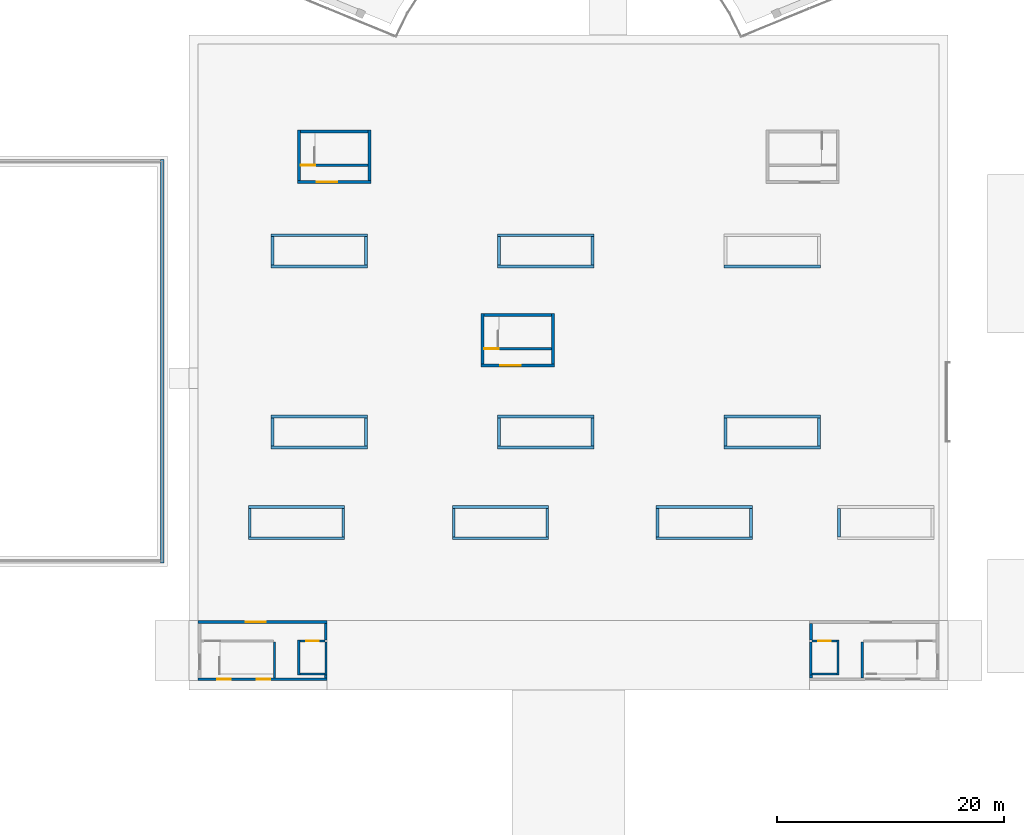
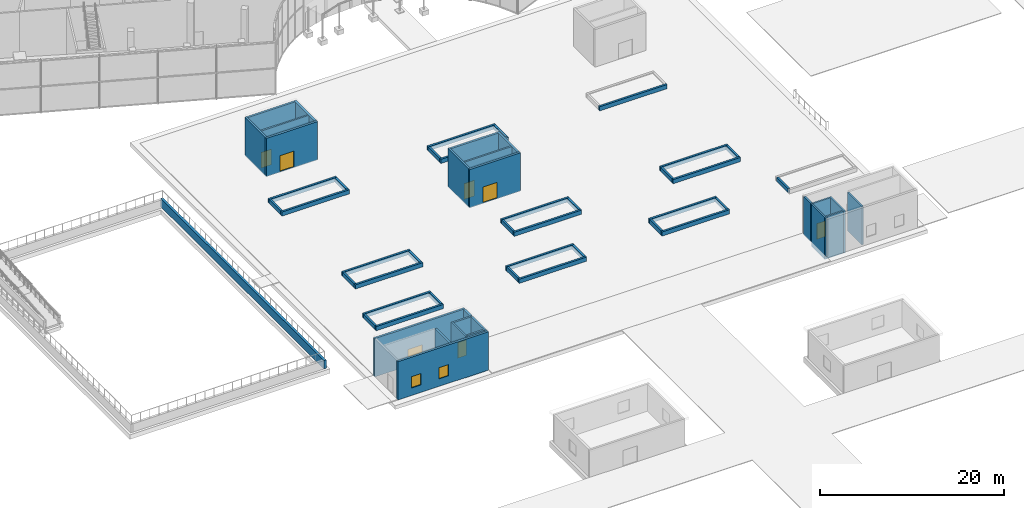
# One storey, part 25 of 60: 61 walls, 7 doors, 2 windows, 9 openings.
"""IFC4 building model written with IfcOpenShell, lengths in metres."""

from ifc_helpers import new_model, si_unit, direction, frame, frame_2d, origin, place, context, subcontext, project, spatial, rectangle, extrude, material, layer, layer_set, type_object, element, fill, save


model = new_model("IFC4")

# Units and contexts
model_context = context("Model", 3, precision=1e-05, world=origin(), true_north=direction((0.0, 1.0)))
body_context = subcontext(model_context, "Body", "Model", "MODEL_VIEW")
ifc_project = project(units=[si_unit("LENGTHUNIT", "METRE"), si_unit("AREAUNIT", "SQUARE_METRE"), si_unit("VOLUMEUNIT", "CUBIC_METRE"), si_unit("PLANEANGLEUNIT", "RADIAN"), si_unit("MASSUNIT", "GRAM", prefix="KILO")], contexts=[model_context])

# Site, building, storey
site_placement = place(None, origin())
site = spatial("IfcSite", under=ifc_project, at=site_placement, CompositionType="ELEMENT")
building_placement = place(site_placement, origin())
building = spatial("IfcBuilding", under=site, at=building_placement, Name="Stone Belt Terrace Tower", CompositionType="ELEMENT")
storey_placement = place(building_placement, origin())
storey = spatial("IfcBuildingStorey", under=building, at=storey_placement, Name="L00", CompositionType="ELEMENT", Elevation=0.0)

# Wall, opening, door
ifc_material_1 = material(Name="Concrete B30", Category="concrete")
ifc_layer_1 = layer(ifc_material_1, 0.199951171875)
ifc_layer_set_1 = layer_set([ifc_layer_1], Name="Car park core wall 200 variant B")
wall_type_1 = type_object("IfcWallType", Name="Car park core wall 200 variant B", PredefinedType="SOLIDWALL", material=ifc_layer_set_1)
wall_1_placement = place(storey_placement, frame((-23.64990234375, -5.199951171875, -0.10009765625), z_axis=(0.0, 0.0, 1.0), x_axis=(1.0, 0.0, 0.0)))
wall_1 = element("IfcWall", 1, at=wall_1_placement, inside=storey, type_object=wall_type_1, Name="Car park stair 3 wall", PredefinedType="SOLIDWALL", context=body_context, shape_type="SweptSolid", body=[
    extrude(rectangle(XDim=5.9599609375, YDim=0.199951171875, at=frame_2d((2.97998046875, 0.0))), origin(), (0.0, 0.0, 1.0), 5.10009765625),
])
opening_1_placement = place(wall_1_placement, frame((0.010009765625, 0.0, 0.10009765625)))
opening_1 = element("IfcOpeningElement", 2, at=opening_1_placement, cuts=wall_1, Name="Opening L00-S02", PredefinedType="OPENING", context=body_context, shape_type="SweptSolid", body=[
    extrude(rectangle(XDim=1.300048828125, YDim=2.10009765625, at=frame_2d((0.64990234375, 1.050048828125))), frame((0.0, 0.10986328125, 0.0), z_axis=(0.0, -1.0, 0.0), x_axis=(1.0, 0.0, 0.0)), (0.0, 0.0, 1.0), 0.219970703125),
])
ifc_material_2 = material(Name="Steel door leaf", Category="steel")
door_type_1 = type_object("IfcDoorType", Name="Core door 1300 fire rated", OperationType="NOTDEFINED", PredefinedType="DOOR", material=ifc_material_2)
door_1_placement = place(opening_1_placement, origin())
door_1 = element("IfcDoor", 3, at=door_1_placement, inside=storey, type_object=door_type_1, Name="Stair 3 door", OperationType="SINGLE_SWING_LEFT", OverallHeight=2.10009765625, OverallWidth=1.300048828125, PredefinedType="DOOR", context=body_context, shape_type="SweptSolid", body=[
    extrude(rectangle(XDim=1.300048828125, YDim=2.10009765625, at=frame_2d((0.64990234375, 1.050048828125))), frame((0.0, 0.02490234375, 0.0), z_axis=(0.0, -1.0, 0.0), x_axis=(1.0, 0.0, 0.0)), (0.0, 0.0, 1.0), 0.050048828125),
])
fill(opening_1, door_1)

wall_2_placement = place(storey_placement, frame((-7.449951171875, -21.39990234375, -0.10009765625), z_axis=(0.0, 0.0, 1.0), x_axis=(1.0, 0.0, 0.0)))
wall_2 = element("IfcWall", 4, at=wall_2_placement, inside=storey, type_object=wall_type_1, Name="Car park stair 5 wall", PredefinedType="SOLIDWALL", context=body_context, shape_type="SweptSolid", body=[
    extrude(rectangle(XDim=5.9599609375, YDim=0.199951171875, at=frame_2d((2.97998046875, 0.0))), origin(), (0.0, 0.0, 1.0), 5.10009765625),
])
opening_2_placement = place(wall_2_placement, frame((0.010009765625, 0.0, 0.10009765625)))
opening_2 = element("IfcOpeningElement", 5, at=opening_2_placement, cuts=wall_2, Name="Opening L00-S06", PredefinedType="OPENING", context=body_context, shape_type="SweptSolid", body=[
    extrude(rectangle(XDim=1.300048828125, YDim=2.10009765625, at=frame_2d((0.64990234375, 1.050048828125))), frame((0.0, 0.10986328125, 0.0), z_axis=(0.0, -1.0, 0.0), x_axis=(1.0, 0.0, 0.0)), (0.0, 0.0, 1.0), 0.219970703125),
])
door_2_placement = place(opening_2_placement, origin())
door_2 = element("IfcDoor", 6, at=door_2_placement, inside=storey, type_object=door_type_1, Name="Stair 5 door", OperationType="SINGLE_SWING_LEFT", OverallHeight=2.10009765625, OverallWidth=1.300048828125, PredefinedType="DOOR", context=body_context, shape_type="SweptSolid", body=[
    extrude(rectangle(XDim=1.300048828125, YDim=2.10009765625, at=frame_2d((0.64990234375, 1.050048828125))), frame((0.0, 0.02490234375, 0.0), z_axis=(0.0, -1.0, 0.0), x_axis=(1.0, 0.0, 0.0)), (0.0, 0.0, 1.0), 0.050048828125),
])
fill(opening_2, door_2)

# Walls
ifc_layer_2 = layer(ifc_material_1, 0.199951171875)
ifc_layer_set_2 = layer_set([ifc_layer_2], Name="Car park core wall 200 variant G")
wall_type_2 = type_object("IfcWallType", Name="Car park core wall 200 variant G", PredefinedType="SOLIDWALL", material=ifc_layer_set_2)
wall_3_placement = place(storey_placement, frame((-23.800048828125, -50.199951171875, -0.60009765625), z_axis=(0.0, 0.0, 1.0), x_axis=(0.0, 1.0, 0.0)))
element("IfcWall", 7, at=wall_3_placement, inside=storey, type_object=wall_type_2, Name="Car park lift 1 shaft wall", PredefinedType="SOLIDWALL", context=body_context, shape_type="SweptSolid", body=[
    extrude(rectangle(XDim=3.099853515625, YDim=0.199951171875, at=frame_2d((1.5498046875, 0.0))), origin(), (0.0, 0.0, 1.0), 5.60009765625),
])
wall_4_placement = place(storey_placement, frame((-21.39990234375, -50.199951171875, -0.60009765625), z_axis=(0.0, 0.0, 1.0), x_axis=(0.0, 1.0, 0.0)))
element("IfcWall", 8, at=wall_4_placement, inside=storey, type_object=wall_type_2, Name="Car park lift 1 shaft wall", PredefinedType="SOLIDWALL", context=body_context, shape_type="SweptSolid", body=[
    extrude(rectangle(XDim=2.89990234375, YDim=0.199951171875, at=frame_2d((1.449951171875, 0.0))), origin(), (0.0, 0.0, 1.0), 5.60009765625),
])
wall_5_placement = place(storey_placement, frame((-23.699951171875, -50.10009765625, -0.60009765625), z_axis=(0.0, 0.0, 1.0), x_axis=(1.0, 0.0, 0.0)))
element("IfcWall", 9, at=wall_5_placement, inside=storey, type_object=wall_type_2, Name="Car park lift 1 shaft wall", PredefinedType="SOLIDWALL", context=body_context, shape_type="SweptSolid", body=[
    extrude(rectangle(XDim=2.199951171875, YDim=0.199951171875, at=frame_2d((1.10009765625, 0.0))), origin(), (0.0, 0.0, 1.0), 5.60009765625),
])

# Wall, opening, door
wall_6_placement = place(storey_placement, frame((-23.699951171875, -47.199951171875, -0.60009765625), z_axis=(0.0, 0.0, 1.0), x_axis=(1.0, 0.0, 0.0)))
wall_6 = element("IfcWall", 10, at=wall_6_placement, inside=storey, type_object=wall_type_2, Name="Car park lift 1 shaft wall", PredefinedType="SOLIDWALL", context=body_context, shape_type="SweptSolid", body=[
    extrude(rectangle(XDim=2.199951171875, YDim=0.199951171875, at=frame_2d((1.10009765625, 0.0))), origin(), (0.0, 0.0, 1.0), 5.60009765625),
])
opening_3_placement = place(wall_6_placement, frame((0.550048828125, 0.0, 0.60009765625)))
opening_3 = element("IfcOpeningElement", 11, at=opening_3_placement, cuts=wall_6, Name="Opening L00-S10", PredefinedType="OPENING", context=body_context, shape_type="SweptSolid", body=[
    extrude(rectangle(XDim=1.10009765625, YDim=2.10009765625, at=frame_2d((0.550048828125, 1.050048828125))), frame((0.0, 0.10986328125, 0.0), z_axis=(0.0, -1.0, 0.0), x_axis=(1.0, 0.0, 0.0)), (0.0, 0.0, 1.0), 0.219970703125),
])
ifc_material_3 = material(Name="Stainless steel", Category="steel")
door_type_2 = type_object("IfcDoorType", Name="Lift landing door 1100", OperationType="SLIDING_TO_LEFT", PredefinedType="DOOR", material=ifc_material_3)
door_3_placement = place(opening_3_placement, origin())
door_3 = element("IfcDoor", 12, at=door_3_placement, inside=storey, type_object=door_type_2, Name="Lift 1 landing door", OperationType="SLIDING_TO_LEFT", OverallHeight=2.10009765625, OverallWidth=1.10009765625, PredefinedType="DOOR", context=body_context, shape_type="SweptSolid", body=[
    extrude(rectangle(XDim=1.10009765625, YDim=2.10009765625, at=frame_2d((0.550048828125, 1.050048828125))), frame((0.0, 0.02490234375, 0.0), z_axis=(0.0, -1.0, 0.0), x_axis=(1.0, 0.0, 0.0)), (0.0, 0.0, 1.0), 0.050048828125),
])
fill(opening_3, door_3)

# Walls
wall_7_placement = place(storey_placement, frame((23.800048828125, -50.199951171875, -0.60009765625), z_axis=(0.0, 0.0, 1.0), x_axis=(0.0, 1.0, 0.0)))
element("IfcWall", 13, at=wall_7_placement, inside=storey, type_object=wall_type_2, Name="Car park lift 2 shaft wall", PredefinedType="SOLIDWALL", context=body_context, shape_type="SweptSolid", body=[
    extrude(rectangle(XDim=3.099853515625, YDim=0.199951171875, at=frame_2d((1.5498046875, 0.0))), origin(), (0.0, 0.0, 1.0), 5.60009765625),
])
wall_8_placement = place(storey_placement, frame((21.39990234375, -50.199951171875, -0.60009765625), z_axis=(0.0, 0.0, 1.0), x_axis=(0.0, 1.0, 0.0)))
element("IfcWall", 14, at=wall_8_placement, inside=storey, type_object=wall_type_2, Name="Car park lift 2 shaft wall", PredefinedType="SOLIDWALL", context=body_context, shape_type="SweptSolid", body=[
    extrude(rectangle(XDim=2.89990234375, YDim=0.199951171875, at=frame_2d((1.449951171875, 0.0))), origin(), (0.0, 0.0, 1.0), 5.60009765625),
])
wall_9_placement = place(storey_placement, frame((21.5, -50.10009765625, -0.60009765625), z_axis=(0.0, 0.0, 1.0), x_axis=(1.0, 0.0, 0.0)))
element("IfcWall", 15, at=wall_9_placement, inside=storey, type_object=wall_type_2, Name="Car park lift 2 shaft wall", PredefinedType="SOLIDWALL", context=body_context, shape_type="SweptSolid", body=[
    extrude(rectangle(XDim=2.199951171875, YDim=0.199951171875, at=frame_2d((1.10009765625, 0.0))), origin(), (0.0, 0.0, 1.0), 5.60009765625),
])

# Wall, opening, door
wall_10_placement = place(storey_placement, frame((21.5, -47.199951171875, -0.60009765625), z_axis=(0.0, 0.0, 1.0), x_axis=(1.0, 0.0, 0.0)))
wall_10 = element("IfcWall", 16, at=wall_10_placement, inside=storey, type_object=wall_type_2, Name="Car park lift 2 shaft wall", PredefinedType="SOLIDWALL", context=body_context, shape_type="SweptSolid", body=[
    extrude(rectangle(XDim=2.199951171875, YDim=0.199951171875, at=frame_2d((1.10009765625, 0.0))), origin(), (0.0, 0.0, 1.0), 5.60009765625),
])
opening_4_placement = place(wall_10_placement, frame((0.550048828125, 0.0, 0.60009765625)))
opening_4 = element("IfcOpeningElement", 17, at=opening_4_placement, cuts=wall_10, Name="Opening L00-S14", PredefinedType="OPENING", context=body_context, shape_type="SweptSolid", body=[
    extrude(rectangle(XDim=1.10009765625, YDim=2.10009765625, at=frame_2d((0.550048828125, 1.050048828125))), frame((0.0, 0.10986328125, 0.0), z_axis=(0.0, -1.0, 0.0), x_axis=(1.0, 0.0, 0.0)), (0.0, 0.0, 1.0), 0.219970703125),
])
door_4_placement = place(opening_4_placement, origin())
door_4 = element("IfcDoor", 18, at=door_4_placement, inside=storey, type_object=door_type_2, Name="Lift 2 landing door", OperationType="SLIDING_TO_RIGHT", OverallHeight=2.10009765625, OverallWidth=1.10009765625, PredefinedType="DOOR", context=body_context, shape_type="SweptSolid", body=[
    extrude(rectangle(XDim=1.10009765625, YDim=2.10009765625, at=frame_2d((0.550048828125, 1.050048828125))), frame((0.0, 0.02490234375, 0.0), z_axis=(0.0, -1.0, 0.0), x_axis=(1.0, 0.0, 0.0)), (0.0, 0.0, 1.0), 0.050048828125),
])
fill(opening_4, door_4)

ifc_material_4 = material(Name="Blockwork", Category="masonry")
ifc_layer_3 = layer(ifc_material_4, 0.25)
ifc_layer_set_3 = layer_set([ifc_layer_3], Name="Car park head house wall 250")
wall_type_3 = type_object("IfcWallType", Name="Car park head house wall 250", PredefinedType="STANDARD", material=ifc_layer_set_3)
wall_11_placement = place(storey_placement, frame((-17.43994140625, -6.675048828125, -0.10009765625), z_axis=(0.0, 0.0, 1.0), x_axis=(-1.0, 0.0, 0.0)))
wall_11 = element("IfcWall", 19, at=wall_11_placement, inside=storey, type_object=wall_type_3, Name="Car park stair 3 house front wall", PredefinedType="STANDARD", context=body_context, shape_type="SweptSolid", body=[
    extrude(rectangle(XDim=6.4599609375, YDim=0.25, at=frame_2d((3.22998046875, 0.0))), origin(), (0.0, 0.0, 1.0), 5.10009765625),
])
opening_5_placement = place(wall_11_placement, frame((2.9599609375, 0.0, 0.10009765625)))
opening_5 = element("IfcOpeningElement", 20, at=opening_5_placement, cuts=wall_11, Name="Opening L00-S01", PredefinedType="OPENING", context=body_context, shape_type="SweptSolid", body=[
    extrude(rectangle(XDim=1.800048828125, YDim=2.10009765625, at=frame_2d((0.89990234375, 1.050048828125))), frame((0.0, 0.135009765625, 0.0), z_axis=(0.0, -1.0, 0.0), x_axis=(1.0, 0.0, 0.0)), (0.0, 0.0, 1.0), 0.27001953125),
])
door_type_3 = type_object("IfcDoorType", Name="Corridor door pair 1800", OperationType="DOUBLE_DOOR_DOUBLE_SWING", PredefinedType="DOOR", material=ifc_material_2)
door_5_placement = place(opening_5_placement, origin())
door_5 = element("IfcDoor", 21, at=door_5_placement, inside=storey, type_object=door_type_3, Name="Car park stair 3 house entrance", OperationType="SINGLE_SWING_LEFT", OverallHeight=2.10009765625, OverallWidth=1.800048828125, PredefinedType="DOOR", context=body_context, shape_type="SweptSolid", body=[
    extrude(rectangle(XDim=1.800048828125, YDim=2.10009765625, at=frame_2d((0.89990234375, 1.050048828125))), frame((0.0, 0.02490234375, 0.0), z_axis=(0.0, -1.0, 0.0), x_axis=(1.0, 0.0, 0.0)), (0.0, 0.0, 1.0), 0.050048828125),
])
fill(opening_5, door_5)

# Walls
for number, where, z_axis, x_axis, name in (
    (22, (-23.77490234375, -6.550048828125, -0.10009765625), (0.0, 0.0, 1.0), (0.0, 1.0, 0.0), "Car park stair 3 house wall"),
    (23, (-17.56494140625, -6.550048828125, -0.10009765625), (0.0, 0.0, 1.0), (0.0, 1.0, 0.0), "Car park stair 3 house wall"),
):
    element("IfcWall", number, at=place(storey_placement, frame(where, z_axis=z_axis, x_axis=x_axis)), inside=storey, type_object=wall_type_3, Name=name, PredefinedType="STANDARD", context=body_context, shape_type="SweptSolid", body=[
        extrude(rectangle(XDim=4.449951171875, YDim=0.25, at=frame_2d((2.22509765625, 0.0))), origin(), (0.0, 0.0, 1.0), 5.10009765625),
    ])
wall_12_placement = place(storey_placement, frame((-23.64990234375, -2.22509765625, -0.10009765625), z_axis=(0.0, 0.0, 1.0), x_axis=(1.0, 0.0, 0.0)))
element("IfcWall", 24, at=wall_12_placement, inside=storey, type_object=wall_type_3, Name="Car park stair 3 house wall", PredefinedType="STANDARD", context=body_context, shape_type="SweptSolid", body=[
    extrude(rectangle(XDim=5.9599609375, YDim=0.25, at=frame_2d((2.97998046875, 0.0))), origin(), (0.0, 0.0, 1.0), 5.10009765625),
])

# Wall, opening, door
wall_13_placement = place(storey_placement, frame((-1.239990234375, -22.875, -0.10009765625), z_axis=(0.0, 0.0, 1.0), x_axis=(-1.0, 0.0, 0.0)))
wall_13 = element("IfcWall", 25, at=wall_13_placement, inside=storey, type_object=wall_type_3, Name="Car park stair 5 house front wall", PredefinedType="STANDARD", context=body_context, shape_type="SweptSolid", body=[
    extrude(rectangle(XDim=6.4599609375, YDim=0.25, at=frame_2d((3.22998046875, 0.0))), origin(), (0.0, 0.0, 1.0), 5.10009765625),
])
opening_6_placement = place(wall_13_placement, frame((2.9599609375, 0.0, 0.10009765625)))
opening_6 = element("IfcOpeningElement", 26, at=opening_6_placement, cuts=wall_13, Name="Opening L00-S05", PredefinedType="OPENING", context=body_context, shape_type="SweptSolid", body=[
    extrude(rectangle(XDim=1.800048828125, YDim=2.10009765625, at=frame_2d((0.89990234375, 1.050048828125))), frame((0.0, 0.135009765625, 0.0), z_axis=(0.0, -1.0, 0.0), x_axis=(1.0, 0.0, 0.0)), (0.0, 0.0, 1.0), 0.27001953125),
])
door_6_placement = place(opening_6_placement, origin())
door_6 = element("IfcDoor", 27, at=door_6_placement, inside=storey, type_object=door_type_3, Name="Car park stair 5 house entrance", OperationType="SINGLE_SWING_LEFT", OverallHeight=2.10009765625, OverallWidth=1.800048828125, PredefinedType="DOOR", context=body_context, shape_type="SweptSolid", body=[
    extrude(rectangle(XDim=1.800048828125, YDim=2.10009765625, at=frame_2d((0.89990234375, 1.050048828125))), frame((0.0, 0.02490234375, 0.0), z_axis=(0.0, -1.0, 0.0), x_axis=(1.0, 0.0, 0.0)), (0.0, 0.0, 1.0), 0.050048828125),
])
fill(opening_6, door_6)

# Walls
for number, where, z_axis, x_axis, name in (
    (28, (-7.574951171875, -22.75, -0.10009765625), (0.0, 0.0, 1.0), (0.0, 1.0, 0.0), "Car park stair 5 house wall"),
    (29, (-1.364990234375, -22.75, -0.10009765625), (0.0, 0.0, 1.0), (0.0, 1.0, 0.0), "Car park stair 5 house wall"),
):
    element("IfcWall", number, at=place(storey_placement, frame(where, z_axis=z_axis, x_axis=x_axis)), inside=storey, type_object=wall_type_3, Name=name, PredefinedType="STANDARD", context=body_context, shape_type="SweptSolid", body=[
        extrude(rectangle(XDim=4.449951171875, YDim=0.25, at=frame_2d((2.22509765625, 0.0))), origin(), (0.0, 0.0, 1.0), 5.10009765625),
    ])
wall_14_placement = place(storey_placement, frame((-7.449951171875, -18.425048828125, -0.10009765625), z_axis=(0.0, 0.0, 1.0), x_axis=(1.0, 0.0, 0.0)))
element("IfcWall", 30, at=wall_14_placement, inside=storey, type_object=wall_type_3, Name="Car park stair 5 house wall", PredefinedType="STANDARD", context=body_context, shape_type="SweptSolid", body=[
    extrude(rectangle(XDim=5.9599609375, YDim=0.25, at=frame_2d((2.97998046875, 0.0))), origin(), (0.0, 0.0, 1.0), 5.10009765625),
])

# Wall, openings, windows
wall_15_placement = place(storey_placement, frame((-32.699951171875, -50.574951171875, -0.10009765625), z_axis=(0.0, 0.0, 1.0), x_axis=(1.0, 0.0, 0.0)))
wall_15 = element("IfcWall", 31, at=wall_15_placement, inside=storey, type_object=wall_type_3, Name="Car park stair and lift house 1 wall", PredefinedType="STANDARD", context=body_context, shape_type="SweptSolid", body=[
    extrude(rectangle(XDim=11.39990234375, YDim=0.25, at=frame_2d((5.699951171875, 0.0))), origin(), (0.0, 0.0, 1.0), 5.10009765625),
])
opening_7_placement = place(wall_15_placement, frame((1.699951171875, 0.0, 1.0)))
opening_7 = element("IfcOpeningElement", 32, at=opening_7_placement, cuts=wall_15, Name="Opening CPW8", PredefinedType="OPENING", context=body_context, shape_type="SweptSolid", body=[
    extrude(rectangle(XDim=1.199951171875, YDim=1.5, at=frame_2d((0.60009765625, 0.75))), frame((0.0, 0.135009765625, 0.0), z_axis=(0.0, -1.0, 0.0), x_axis=(1.0, 0.0, 0.0)), (0.0, 0.0, 1.0), 0.27001953125),
])
opening_8_placement = place(wall_15_placement, frame((5.199951171875, 0.0, 1.0)))
opening_8 = element("IfcOpeningElement", 33, at=opening_8_placement, cuts=wall_15, Name="Opening CPW8", PredefinedType="OPENING", context=body_context, shape_type="SweptSolid", body=[
    extrude(rectangle(XDim=1.199951171875, YDim=1.5, at=frame_2d((0.60009765625, 0.75))), frame((0.0, 0.135009765625, 0.0), z_axis=(0.0, -1.0, 0.0), x_axis=(1.0, 0.0, 0.0)), (0.0, 0.0, 1.0), 0.27001953125),
])
ifc_material_5 = material(Name="Glass in aluminium frame", Category="aluminium")
window_type = type_object("IfcWindowType", Name="Head house window 1200 x 1500", PartitioningType="SINGLE_PANEL", PredefinedType="WINDOW", material=ifc_material_5)
window_1_placement = place(opening_7_placement, origin())
window_1 = element("IfcWindow", 34, at=window_1_placement, inside=storey, type_object=window_type, Name="Car park stair and lift house 1 window", OverallHeight=1.5, OverallWidth=1.199951171875, PartitioningType="SINGLE_PANEL", PredefinedType="WINDOW", context=body_context, shape_type="SweptSolid", body=[
    extrude(rectangle(XDim=1.199951171875, YDim=1.5, at=frame_2d((0.60009765625, 0.75))), frame((0.0, 0.030029296875, 0.0), z_axis=(0.0, -1.0, 0.0), x_axis=(1.0, 0.0, 0.0)), (0.0, 0.0, 1.0), 0.06005859375),
])
fill(opening_7, window_1)
window_2_placement = place(opening_8_placement, origin())
window_2 = element("IfcWindow", 35, at=window_2_placement, inside=storey, type_object=window_type, Name="Car park stair and lift house 1 window", OverallHeight=1.5, OverallWidth=1.199951171875, PartitioningType="SINGLE_PANEL", PredefinedType="WINDOW", context=body_context, shape_type="SweptSolid", body=[
    extrude(rectangle(XDim=1.199951171875, YDim=1.5, at=frame_2d((0.60009765625, 0.75))), frame((0.0, 0.030029296875, 0.0), z_axis=(0.0, -1.0, 0.0), x_axis=(1.0, 0.0, 0.0)), (0.0, 0.0, 1.0), 0.06005859375),
])
fill(opening_8, window_2)

# Walls
wall_16_placement = place(storey_placement, frame((-21.425048828125, -47.10009765625, -0.10009765625), z_axis=(0.0, 0.0, 1.0), x_axis=(0.0, 1.0, 0.0)))
element("IfcWall", 36, at=wall_16_placement, inside=storey, type_object=wall_type_3, Name="Car park stair and lift house 1 wall", PredefinedType="STANDARD", context=body_context, shape_type="SweptSolid", body=[
    extrude(rectangle(XDim=1.4501953125, YDim=0.25, at=frame_2d((0.72509765625, 0.0))), origin(), (0.0, 0.0, 1.0), 5.10009765625),
])
wall_17_placement = place(storey_placement, frame((-21.550048828125, -50.324951171875, -0.10009765625), z_axis=(0.0, 0.0, 1.0), x_axis=(1.0, 0.0, 0.0)))
element("IfcWall", 37, at=wall_17_placement, inside=storey, type_object=wall_type_3, Name="Car park stair and lift house 1 wall", PredefinedType="STANDARD", context=body_context, shape_type="SweptSolid", body=[
    extrude(rectangle(XDim=0.25, YDim=0.25, at=frame_2d((0.125, 0.0))), origin(), (0.0, 0.0, 1.0), 5.10009765625),
])
wall_18_placement = place(storey_placement, frame((-25.93994140625, -50.449951171875, -0.10009765625), z_axis=(0.0, 0.0, 1.0), x_axis=(0.0, 1.0, 0.0)))
element("IfcWall", 38, at=wall_18_placement, inside=storey, type_object=wall_type_3, Name="Car park stair and lift house 1 wall", PredefinedType="STANDARD", context=body_context, shape_type="SweptSolid", body=[
    extrude(rectangle(XDim=3.14990234375, YDim=0.199951171875, at=frame_2d((1.574951171875, 0.0))), origin(), (0.0, 0.0, 1.0), 5.10009765625),
])

# Wall, opening, door
wall_19_placement = place(storey_placement, frame((-32.699951171875, -45.52490234375, -0.10009765625), z_axis=(0.0, 0.0, 1.0), x_axis=(1.0, 0.0, 0.0)))
wall_19 = element("IfcWall", 39, at=wall_19_placement, inside=storey, type_object=wall_type_3, Name="Car park stair and lift house 1 front wall", PredefinedType="STANDARD", context=body_context, shape_type="SweptSolid", body=[
    extrude(rectangle(XDim=11.39990234375, YDim=0.25, at=frame_2d((5.699951171875, 0.0))), origin(), (0.0, 0.0, 1.0), 5.10009765625),
])
opening_9_placement = place(wall_19_placement, frame((4.199951171875, 0.0, 0.10009765625)))
opening_9 = element("IfcOpeningElement", 40, at=opening_9_placement, cuts=wall_19, Name="Opening L00-S09", PredefinedType="OPENING", context=body_context, shape_type="SweptSolid", body=[
    extrude(rectangle(XDim=1.800048828125, YDim=2.10009765625, at=frame_2d((0.89990234375, 1.050048828125))), frame((0.0, 0.135009765625, 0.0), z_axis=(0.0, -1.0, 0.0), x_axis=(1.0, 0.0, 0.0)), (0.0, 0.0, 1.0), 0.27001953125),
])
door_7_placement = place(opening_9_placement, origin())
door_7 = element("IfcDoor", 41, at=door_7_placement, inside=storey, type_object=door_type_3, Name="Car park stair and lift house 1 entrance", OperationType="SINGLE_SWING_LEFT", OverallHeight=2.10009765625, OverallWidth=1.800048828125, PredefinedType="DOOR", context=body_context, shape_type="SweptSolid", body=[
    extrude(rectangle(XDim=1.800048828125, YDim=2.10009765625, at=frame_2d((0.89990234375, 1.050048828125))), frame((0.0, 0.02490234375, 0.0), z_axis=(0.0, -1.0, 0.0), x_axis=(1.0, 0.0, 0.0)), (0.0, 0.0, 1.0), 0.050048828125),
])
fill(opening_9, door_7)

# Walls
wall_20_placement = place(storey_placement, frame((21.425048828125, -47.10009765625, -0.10009765625), z_axis=(0.0, 0.0, 1.0), x_axis=(0.0, 1.0, 0.0)))
element("IfcWall", 42, at=wall_20_placement, inside=storey, type_object=wall_type_3, Name="Car park stair and lift house 2 wall", PredefinedType="STANDARD", context=body_context, shape_type="SweptSolid", body=[
    extrude(rectangle(XDim=1.4501953125, YDim=0.25, at=frame_2d((0.72509765625, 0.0))), origin(), (0.0, 0.0, 1.0), 5.10009765625),
])
wall_21_placement = place(storey_placement, frame((21.300048828125, -50.324951171875, -0.10009765625), z_axis=(0.0, 0.0, 1.0), x_axis=(1.0, 0.0, 0.0)))
element("IfcWall", 43, at=wall_21_placement, inside=storey, type_object=wall_type_3, Name="Car park stair and lift house 2 wall", PredefinedType="STANDARD", context=body_context, shape_type="SweptSolid", body=[
    extrude(rectangle(XDim=0.25, YDim=0.25, at=frame_2d((0.125, 0.0))), origin(), (0.0, 0.0, 1.0), 5.10009765625),
])
wall_22_placement = place(storey_placement, frame((25.93994140625, -50.449951171875, -0.10009765625), z_axis=(0.0, 0.0, 1.0), x_axis=(0.0, 1.0, 0.0)))
element("IfcWall", 44, at=wall_22_placement, inside=storey, type_object=wall_type_3, Name="Car park stair and lift house 2 wall", PredefinedType="STANDARD", context=body_context, shape_type="SweptSolid", body=[
    extrude(rectangle(XDim=3.14990234375, YDim=0.199951171875, at=frame_2d((1.574951171875, 0.0))), origin(), (0.0, 0.0, 1.0), 5.10009765625),
])
ifc_layer_4 = layer(ifc_material_1, 0.300048828125)
ifc_layer_set_4 = layer_set([ifc_layer_4], Name="Court retaining wall 300")
wall_type_4 = type_object("IfcWallType", Name="Court retaining wall 300", PredefinedType="SOLIDWALL", material=ifc_layer_set_4)
wall_23_placement = place(storey_placement, frame((-35.85009765625, -40.300048828125, -1.10009765625), z_axis=(0.0, 0.0, 1.0), x_axis=(0.0, 1.0, 0.0)))
element("IfcWall", 45, at=wall_23_placement, inside=storey, type_object=wall_type_4, Name="Rain garden court retaining wall", PredefinedType="SOLIDWALL", context=body_context, shape_type="SweptSolid", body=[
    extrude(rectangle(XDim=35.60009765625, YDim=0.300048828125, at=frame_2d((17.800048828125, 0.0))), origin(), (0.0, 0.0, 1.0), 1.10009765625),
])
ifc_material_6 = material(Name="Concrete B25", Category="concrete")
ifc_layer_5 = layer(ifc_material_6, 0.25)
ifc_layer_set_5 = layer_set([ifc_layer_5], Name="PLANTER kerb 250")
wall_type_5 = type_object("IfcWallType", Name="PLANTER kerb 250", PredefinedType="STANDARD", material=ifc_layer_set_5)
for number, where, z_axis, x_axis, name in (
    (46, (-26.25, -30.125, 0.0), (0.0, 0.0, 1.0), (1.0, 0.0, 0.0), "PLANTER 1 kerb"),
    (47, (-26.25, -27.375, 0.0), (0.0, 0.0, 1.0), (1.0, 0.0, 0.0), "PLANTER 1 kerb"),
):
    element("IfcWall", number, at=place(storey_placement, frame(where, z_axis=z_axis, x_axis=x_axis)), inside=storey, type_object=wall_type_5, Name=name, PredefinedType="STANDARD", context=body_context, shape_type="SweptSolid", body=[
        extrude(rectangle(XDim=8.5, YDim=0.25, at=frame_2d((4.25, 0.0))), origin(), (0.0, 0.0, 1.0), 0.550048828125),
    ])
for number, where, z_axis, x_axis, name in (
    (48, (-26.125, -30.0, 0.0), (0.0, 0.0, 1.0), (0.0, 1.0, 0.0), "PLANTER 1 kerb"),
    (49, (-17.875, -30.0, 0.0), (0.0, 0.0, 1.0), (0.0, 1.0, 0.0), "PLANTER 1 kerb"),
):
    element("IfcWall", number, at=place(storey_placement, frame(where, z_axis=z_axis, x_axis=x_axis)), inside=storey, type_object=wall_type_5, Name=name, PredefinedType="STANDARD", context=body_context, shape_type="SweptSolid", body=[
        extrude(rectangle(XDim=2.5, YDim=0.25, at=frame_2d((1.25, 0.0))), origin(), (0.0, 0.0, 1.0), 0.550048828125),
    ])
for number, where, z_axis, x_axis, name in (
    (50, (-26.25, -14.125, 0.0), (0.0, 0.0, 1.0), (1.0, 0.0, 0.0), "PLANTER 2 kerb"),
    (51, (-26.25, -11.375, 0.0), (0.0, 0.0, 1.0), (1.0, 0.0, 0.0), "PLANTER 2 kerb"),
):
    element("IfcWall", number, at=place(storey_placement, frame(where, z_axis=z_axis, x_axis=x_axis)), inside=storey, type_object=wall_type_5, Name=name, PredefinedType="STANDARD", context=body_context, shape_type="SweptSolid", body=[
        extrude(rectangle(XDim=8.5, YDim=0.25, at=frame_2d((4.25, 0.0))), origin(), (0.0, 0.0, 1.0), 0.550048828125),
    ])
for number, where, z_axis, x_axis, name in (
    (52, (-26.125, -14.0, 0.0), (0.0, 0.0, 1.0), (0.0, 1.0, 0.0), "PLANTER 2 kerb"),
    (53, (-17.875, -14.0, 0.0), (0.0, 0.0, 1.0), (0.0, 1.0, 0.0), "PLANTER 2 kerb"),
):
    element("IfcWall", number, at=place(storey_placement, frame(where, z_axis=z_axis, x_axis=x_axis)), inside=storey, type_object=wall_type_5, Name=name, PredefinedType="STANDARD", context=body_context, shape_type="SweptSolid", body=[
        extrude(rectangle(XDim=2.5, YDim=0.25, at=frame_2d((1.25, 0.0))), origin(), (0.0, 0.0, 1.0), 0.550048828125),
    ])
for number, where, z_axis, x_axis, name in (
    (54, (-6.25, -30.125, 0.0), (0.0, 0.0, 1.0), (1.0, 0.0, 0.0), "PLANTER 3 kerb"),
    (55, (-6.25, -27.375, 0.0), (0.0, 0.0, 1.0), (1.0, 0.0, 0.0), "PLANTER 3 kerb"),
):
    element("IfcWall", number, at=place(storey_placement, frame(where, z_axis=z_axis, x_axis=x_axis)), inside=storey, type_object=wall_type_5, Name=name, PredefinedType="STANDARD", context=body_context, shape_type="SweptSolid", body=[
        extrude(rectangle(XDim=8.5, YDim=0.25, at=frame_2d((4.25, 0.0))), origin(), (0.0, 0.0, 1.0), 0.550048828125),
    ])
for number, where, z_axis, x_axis, name in (
    (56, (-6.125, -30.0, 0.0), (0.0, 0.0, 1.0), (0.0, 1.0, 0.0), "PLANTER 3 kerb"),
    (57, (2.125, -30.0, 0.0), (0.0, 0.0, 1.0), (0.0, 1.0, 0.0), "PLANTER 3 kerb"),
):
    element("IfcWall", number, at=place(storey_placement, frame(where, z_axis=z_axis, x_axis=x_axis)), inside=storey, type_object=wall_type_5, Name=name, PredefinedType="STANDARD", context=body_context, shape_type="SweptSolid", body=[
        extrude(rectangle(XDim=2.5, YDim=0.25, at=frame_2d((1.25, 0.0))), origin(), (0.0, 0.0, 1.0), 0.550048828125),
    ])
for number, where, z_axis, x_axis, name in (
    (58, (-6.25, -14.125, 0.0), (0.0, 0.0, 1.0), (1.0, 0.0, 0.0), "PLANTER 4 kerb"),
    (59, (-6.25, -11.375, 0.0), (0.0, 0.0, 1.0), (1.0, 0.0, 0.0), "PLANTER 4 kerb"),
):
    element("IfcWall", number, at=place(storey_placement, frame(where, z_axis=z_axis, x_axis=x_axis)), inside=storey, type_object=wall_type_5, Name=name, PredefinedType="STANDARD", context=body_context, shape_type="SweptSolid", body=[
        extrude(rectangle(XDim=8.5, YDim=0.25, at=frame_2d((4.25, 0.0))), origin(), (0.0, 0.0, 1.0), 0.550048828125),
    ])
for number, where, z_axis, x_axis, name in (
    (60, (-6.125, -14.0, 0.0), (0.0, 0.0, 1.0), (0.0, 1.0, 0.0), "PLANTER 4 kerb"),
    (61, (2.125, -14.0, 0.0), (0.0, 0.0, 1.0), (0.0, 1.0, 0.0), "PLANTER 4 kerb"),
):
    element("IfcWall", number, at=place(storey_placement, frame(where, z_axis=z_axis, x_axis=x_axis)), inside=storey, type_object=wall_type_5, Name=name, PredefinedType="STANDARD", context=body_context, shape_type="SweptSolid", body=[
        extrude(rectangle(XDim=2.5, YDim=0.25, at=frame_2d((1.25, 0.0))), origin(), (0.0, 0.0, 1.0), 0.550048828125),
    ])
for number, where, z_axis, x_axis, name in (
    (62, (13.75, -30.125, 0.0), (0.0, 0.0, 1.0), (1.0, 0.0, 0.0), "PLANTER 5 kerb"),
    (63, (13.75, -27.375, 0.0), (0.0, 0.0, 1.0), (1.0, 0.0, 0.0), "PLANTER 5 kerb"),
):
    element("IfcWall", number, at=place(storey_placement, frame(where, z_axis=z_axis, x_axis=x_axis)), inside=storey, type_object=wall_type_5, Name=name, PredefinedType="STANDARD", context=body_context, shape_type="SweptSolid", body=[
        extrude(rectangle(XDim=8.5, YDim=0.25, at=frame_2d((4.25, 0.0))), origin(), (0.0, 0.0, 1.0), 0.550048828125),
    ])
for number, where, z_axis, x_axis, name in (
    (64, (13.875, -30.0, 0.0), (0.0, 0.0, 1.0), (0.0, 1.0, 0.0), "PLANTER 5 kerb"),
    (65, (22.125, -30.0, 0.0), (0.0, 0.0, 1.0), (0.0, 1.0, 0.0), "PLANTER 5 kerb"),
):
    element("IfcWall", number, at=place(storey_placement, frame(where, z_axis=z_axis, x_axis=x_axis)), inside=storey, type_object=wall_type_5, Name=name, PredefinedType="STANDARD", context=body_context, shape_type="SweptSolid", body=[
        extrude(rectangle(XDim=2.5, YDim=0.25, at=frame_2d((1.25, 0.0))), origin(), (0.0, 0.0, 1.0), 0.550048828125),
    ])
for number, where, z_axis, x_axis, name in (
    (66, (13.75, -14.125, 0.0), (0.0, 0.0, 1.0), (1.0, 0.0, 0.0), "PLANTER 6 kerb"),
    (67, (-28.25, -38.125, 0.0), (0.0, 0.0, 1.0), (1.0, 0.0, 0.0), "PLANTER 7 kerb"),
    (68, (-28.25, -35.375, 0.0), (0.0, 0.0, 1.0), (1.0, 0.0, 0.0), "PLANTER 7 kerb"),
):
    element("IfcWall", number, at=place(storey_placement, frame(where, z_axis=z_axis, x_axis=x_axis)), inside=storey, type_object=wall_type_5, Name=name, PredefinedType="STANDARD", context=body_context, shape_type="SweptSolid", body=[
        extrude(rectangle(XDim=8.5, YDim=0.25, at=frame_2d((4.25, 0.0))), origin(), (0.0, 0.0, 1.0), 0.550048828125),
    ])
for number, where, z_axis, x_axis, name in (
    (69, (-28.125, -38.0, 0.0), (0.0, 0.0, 1.0), (0.0, 1.0, 0.0), "PLANTER 7 kerb"),
    (70, (-19.875, -38.0, 0.0), (0.0, 0.0, 1.0), (0.0, 1.0, 0.0), "PLANTER 7 kerb"),
):
    element("IfcWall", number, at=place(storey_placement, frame(where, z_axis=z_axis, x_axis=x_axis)), inside=storey, type_object=wall_type_5, Name=name, PredefinedType="STANDARD", context=body_context, shape_type="SweptSolid", body=[
        extrude(rectangle(XDim=2.5, YDim=0.25, at=frame_2d((1.25, 0.0))), origin(), (0.0, 0.0, 1.0), 0.550048828125),
    ])
for number, where, z_axis, x_axis, name in (
    (71, (-10.25, -38.125, 0.0), (0.0, 0.0, 1.0), (1.0, 0.0, 0.0), "PLANTER 8 kerb"),
    (72, (-10.25, -35.375, 0.0), (0.0, 0.0, 1.0), (1.0, 0.0, 0.0), "PLANTER 8 kerb"),
):
    element("IfcWall", number, at=place(storey_placement, frame(where, z_axis=z_axis, x_axis=x_axis)), inside=storey, type_object=wall_type_5, Name=name, PredefinedType="STANDARD", context=body_context, shape_type="SweptSolid", body=[
        extrude(rectangle(XDim=8.5, YDim=0.25, at=frame_2d((4.25, 0.0))), origin(), (0.0, 0.0, 1.0), 0.550048828125),
    ])
for number, where, z_axis, x_axis, name in (
    (73, (-10.125, -38.0, 0.0), (0.0, 0.0, 1.0), (0.0, 1.0, 0.0), "PLANTER 8 kerb"),
    (74, (-1.875, -38.0, 0.0), (0.0, 0.0, 1.0), (0.0, 1.0, 0.0), "PLANTER 8 kerb"),
):
    element("IfcWall", number, at=place(storey_placement, frame(where, z_axis=z_axis, x_axis=x_axis)), inside=storey, type_object=wall_type_5, Name=name, PredefinedType="STANDARD", context=body_context, shape_type="SweptSolid", body=[
        extrude(rectangle(XDim=2.5, YDim=0.25, at=frame_2d((1.25, 0.0))), origin(), (0.0, 0.0, 1.0), 0.550048828125),
    ])
for number, where, z_axis, x_axis, name in (
    (75, (7.75, -38.125, 0.0), (0.0, 0.0, 1.0), (1.0, 0.0, 0.0), "PLANTER 9 kerb"),
    (76, (7.75, -35.375, 0.0), (0.0, 0.0, 1.0), (1.0, 0.0, 0.0), "PLANTER 9 kerb"),
):
    element("IfcWall", number, at=place(storey_placement, frame(where, z_axis=z_axis, x_axis=x_axis)), inside=storey, type_object=wall_type_5, Name=name, PredefinedType="STANDARD", context=body_context, shape_type="SweptSolid", body=[
        extrude(rectangle(XDim=8.5, YDim=0.25, at=frame_2d((4.25, 0.0))), origin(), (0.0, 0.0, 1.0), 0.550048828125),
    ])
for number, where, z_axis, x_axis, name in (
    (77, (7.875, -38.0, 0.0), (0.0, 0.0, 1.0), (0.0, 1.0, 0.0), "PLANTER 9 kerb"),
    (78, (16.125, -38.0, 0.0), (0.0, 0.0, 1.0), (0.0, 1.0, 0.0), "PLANTER 9 kerb"),
    (79, (23.875, -38.0, 0.0), (0.0, 0.0, 1.0), (0.0, 1.0, 0.0), "PLANTER 10 kerb"),
):
    element("IfcWall", number, at=place(storey_placement, frame(where, z_axis=z_axis, x_axis=x_axis)), inside=storey, type_object=wall_type_5, Name=name, PredefinedType="STANDARD", context=body_context, shape_type="SweptSolid", body=[
        extrude(rectangle(XDim=2.5, YDim=0.25, at=frame_2d((1.25, 0.0))), origin(), (0.0, 0.0, 1.0), 0.550048828125),
    ])

save(model, "model.ifc")
